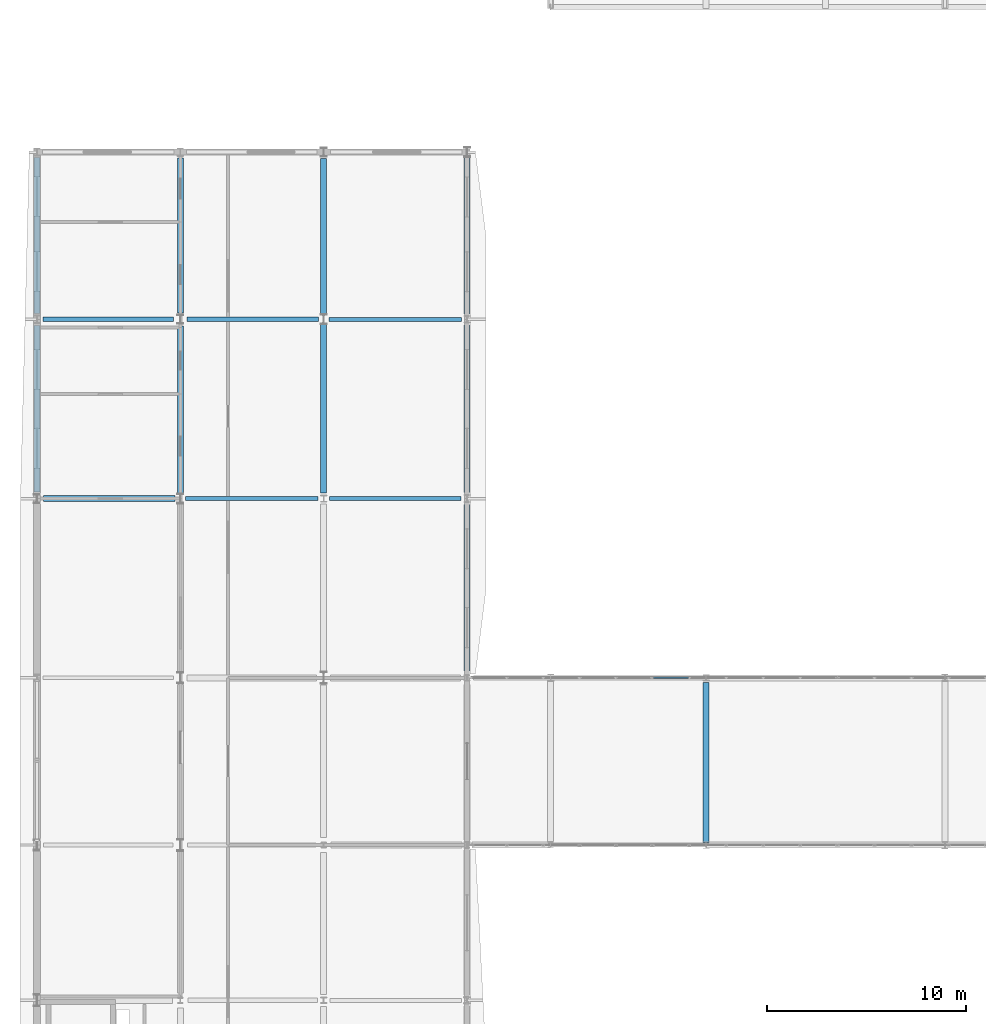
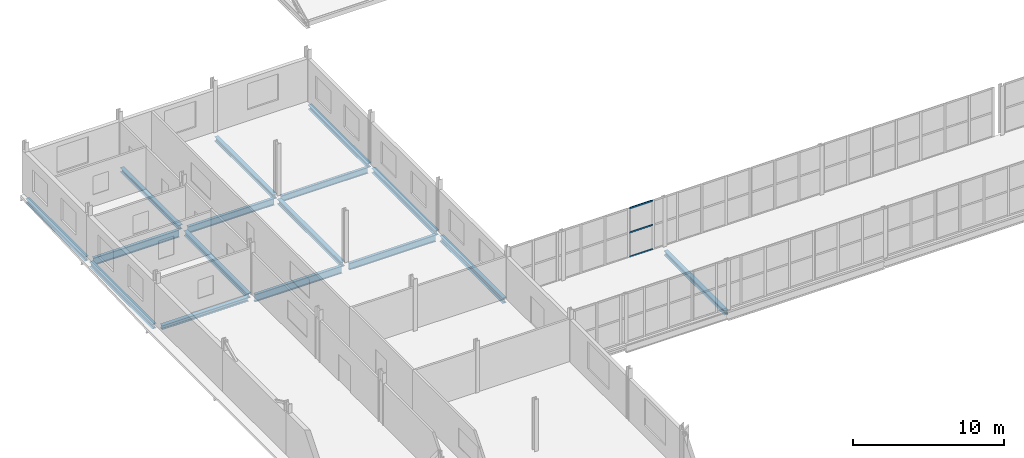
# One storey, part 57 of 138: 16 beams, 3 members, 1 element without a shape of its own.
"""IFC4 building model written with IfcOpenShell, lengths in metres."""

from ifc_helpers import new_model, si_unit, direction, frame, origin, origin_2d, place, context, subcontext, project, spatial, hollow_rectangle, i_section, extrude, material, layer, layer_set, material_profile, profile_set, type_object, element, aggregate, save


model = new_model("IFC4")

# Units and contexts
model_context = context("Model", 3, precision=1e-05, world=origin(), true_north=direction((0.0, 1.0)))
body_context = subcontext(model_context, "Body", "Model", "MODEL_VIEW")
ifc_project = project(units=[si_unit("LENGTHUNIT", "METRE"), si_unit("AREAUNIT", "SQUARE_METRE"), si_unit("VOLUMEUNIT", "CUBIC_METRE"), si_unit("PLANEANGLEUNIT", "RADIAN"), si_unit("MASSUNIT", "GRAM", prefix="KILO")], contexts=[model_context])

# Site, building, storey
site_placement = place(None, origin())
site = spatial("IfcSite", under=ifc_project, at=site_placement, CompositionType="ELEMENT")
building_placement = place(site_placement, origin())
building = spatial("IfcBuilding", under=site, at=building_placement, Name="Vinh Khe Railworks Police Headquarters", CompositionType="ELEMENT")
storey_placement = place(building_placement, frame((0.0, 0.0, 9.0)))
storey = spatial("IfcBuildingStorey", under=building, at=storey_placement, Name="L02", CompositionType="ELEMENT", Elevation=9.0)

# Beams
ifc_material_1 = material(Name="Steel S355JR", Category="steel")
ifc_material_profile_1 = material_profile(ifc_material_1, i_section(OverallWidth=0.300048828125, OverallDepth=0.330078125, WebThickness=0.009521484375, FlangeThickness=0.0166015625, FilletRadius=0.027099609375, at=origin_2d()), Name="HEA 340")
ifc_profile_set_1 = profile_set([ifc_material_profile_1], Name="Steel S355JR")
beam_type_1 = type_object("IfcBeamType", Name="Steel Girder HEA 340", PredefinedType="BEAM", material=ifc_profile_set_1)
beam_1_placement = place(storey_placement, frame((0.929931640625, 113.39990234375, -0.385009765625), z_axis=(1.0, 0.0, 0.0), x_axis=(0.0, 1.0, 0.0)))
element("IfcBeam", 1, at=beam_1_placement, inside=storey, type_object=beam_type_1, Name="Girder BM-L02-EW-SB-16-0830", PredefinedType="BEAM", context=body_context, shape_type="SweptSolid", body=[
    extrude(i_section(OverallWidth=0.300048828125, OverallDepth=0.330078125, WebThickness=0.009521484375, FlangeThickness=0.0166015625, FilletRadius=0.027099609375, at=origin_2d()), origin(), (0.0, 0.0, 1.0), 6.614990234375),
])
ifc_material_profile_2 = material_profile(ifc_material_1, i_section(OverallWidth=0.300048828125, OverallDepth=0.35009765625, WebThickness=0.010009765625, FlangeThickness=0.017578125, FilletRadius=0.027099609375, at=origin_2d()), Name="HEA 360")
ifc_profile_set_2 = profile_set([ifc_material_profile_2], Name="Steel S355JR")
beam_type_2 = type_object("IfcBeamType", Name="Steel Girder HEA 360", PredefinedType="BEAM", material=ifc_profile_set_2)
beam_2_placement = place(storey_placement, frame((0.60009765625, 122.705078125, -0.39501953125), z_axis=(0.0, 1.0, 0.0), x_axis=(-1.0, 0.0, 0.0)))
element("IfcBeam", 2, at=beam_2_placement, inside=storey, type_object=beam_type_2, Name="Girder BM-L02-NS-SB-15-0888", PredefinedType="BEAM", context=body_context, shape_type="SweptSolid", body=[
    extrude(i_section(OverallWidth=0.300048828125, OverallDepth=0.35009765625, WebThickness=0.010009765625, FlangeThickness=0.017578125, FilletRadius=0.027099609375, at=origin_2d()), origin(), (0.0, 0.0, 1.0), 7.81494140625),
])
beam_3_placement = place(storey_placement, frame((7.800048828125, 122.72998046875, -0.39501953125), z_axis=(0.0, 1.0, 0.0), x_axis=(-1.0, 0.0, 0.0)))
element("IfcBeam", 3, at=beam_3_placement, inside=storey, type_object=beam_type_2, Name="Girder BM-L02-NS-SB-15-0906", PredefinedType="BEAM", context=body_context, shape_type="SweptSolid", body=[
    extrude(i_section(OverallWidth=0.300048828125, OverallDepth=0.35009765625, WebThickness=0.010009765625, FlangeThickness=0.017578125, FilletRadius=0.027099609375, at=origin_2d()), origin(), (0.0, 0.0, 1.0), 7.76513671875),
])
beam_4_placement = place(storey_placement, frame((15.0, 122.655029296875, -0.39501953125), z_axis=(0.0, 1.0, 0.0), x_axis=(-1.0, 0.0, 0.0)))
element("IfcBeam", 4, at=beam_4_placement, inside=storey, type_object=beam_type_2, Name="Girder BM-L02-NS-SB-15-0924", PredefinedType="BEAM", context=body_context, shape_type="SweptSolid", body=[
    extrude(i_section(OverallWidth=0.300048828125, OverallDepth=0.35009765625, WebThickness=0.010009765625, FlangeThickness=0.017578125, FilletRadius=0.027099609375, at=origin_2d()), origin(), (0.0, 0.0, 1.0), 7.81494140625),
])
beam_5_placement = place(storey_placement, frame((22.199951171875, 122.679931640625, -0.39501953125), z_axis=(0.0, 1.0, 0.0), x_axis=(-1.0, 0.0, 0.0)))
element("IfcBeam", 5, at=beam_5_placement, inside=storey, type_object=beam_type_2, Name="Girder BM-L02-NS-SB-15-0942", PredefinedType="BEAM", context=body_context, shape_type="SweptSolid", body=[
    extrude(i_section(OverallWidth=0.300048828125, OverallDepth=0.35009765625, WebThickness=0.010009765625, FlangeThickness=0.017578125, FilletRadius=0.027099609375, at=origin_2d()), origin(), (0.0, 0.0, 1.0), 7.864990234375),
])
beam_6_placement = place(storey_placement, frame((34.199951171875, 96.110107421875, -0.39501953125), z_axis=(0.0, 1.0, 0.0), x_axis=(-1.0, 0.0, 0.0)))
element("IfcBeam", 6, at=beam_6_placement, inside=storey, type_object=beam_type_2, Name="Girder BM-L02-NS-SB-15-0954", PredefinedType="BEAM", context=body_context, shape_type="SweptSolid", body=[
    extrude(i_section(OverallWidth=0.300048828125, OverallDepth=0.35009765625, WebThickness=0.010009765625, FlangeThickness=0.017578125, FilletRadius=0.027099609375, at=origin_2d()), origin(), (0.0, 0.0, 1.0), 8.06494140625),
])
ifc_material_profile_3 = material_profile(ifc_material_1, i_section(OverallWidth=0.300048828125, OverallDepth=0.389892578125, WebThickness=0.010986328125, FlangeThickness=0.01904296875, FilletRadius=0.027099609375, at=origin_2d()), Name="HEA 400")
ifc_profile_set_3 = profile_set([ifc_material_profile_3], Name="Steel S355JR")
beam_type_3 = type_object("IfcBeamType", Name="Steel Girder HEA 400", PredefinedType="BEAM", material=ifc_profile_set_3)
beam_7_placement = place(storey_placement, frame((0.60009765625, 113.72998046875, -0.4150390625), z_axis=(0.0, 1.0, 0.0), x_axis=(-1.0, 0.0, 0.0)))
element("IfcBeam", 7, at=beam_7_placement, inside=storey, type_object=beam_type_3, Name="Girder BM-L02-NS-SB-14-0887", PredefinedType="BEAM", context=body_context, shape_type="SweptSolid", body=[
    extrude(i_section(OverallWidth=0.300048828125, OverallDepth=0.389892578125, WebThickness=0.010986328125, FlangeThickness=0.01904296875, FilletRadius=0.027099609375, at=origin_2d()), origin(), (0.0, 0.0, 1.0), 8.364990234375),
])
beam_8_placement = place(storey_placement, frame((7.800048828125, 113.655029296875, -0.4150390625), z_axis=(0.0, 1.0, 0.0), x_axis=(-1.0, 0.0, 0.0)))
element("IfcBeam", 8, at=beam_8_placement, inside=storey, type_object=beam_type_3, Name="Girder BM-L02-NS-SB-14-0905", PredefinedType="BEAM", context=body_context, shape_type="SweptSolid", body=[
    extrude(i_section(OverallWidth=0.300048828125, OverallDepth=0.389892578125, WebThickness=0.010986328125, FlangeThickness=0.01904296875, FilletRadius=0.027099609375, at=origin_2d()), origin(), (0.0, 0.0, 1.0), 8.4150390625),
])
beam_9_placement = place(storey_placement, frame((15.0, 113.679931640625, -0.4150390625), z_axis=(0.0, 1.0, 0.0), x_axis=(-1.0, 0.0, 0.0)))
element("IfcBeam", 9, at=beam_9_placement, inside=storey, type_object=beam_type_3, Name="Girder BM-L02-NS-SB-14-0923", PredefinedType="BEAM", context=body_context, shape_type="SweptSolid", body=[
    extrude(i_section(OverallWidth=0.300048828125, OverallDepth=0.389892578125, WebThickness=0.010986328125, FlangeThickness=0.01904296875, FilletRadius=0.027099609375, at=origin_2d()), origin(), (0.0, 0.0, 1.0), 8.465087890625),
])
beam_10_placement = place(storey_placement, frame((22.199951171875, 113.705078125, -0.4150390625), z_axis=(0.0, 1.0, 0.0), x_axis=(-1.0, 0.0, 0.0)))
element("IfcBeam", 10, at=beam_10_placement, inside=storey, type_object=beam_type_3, Name="Girder BM-L02-NS-SB-14-0941", PredefinedType="BEAM", context=body_context, shape_type="SweptSolid", body=[
    extrude(i_section(OverallWidth=0.300048828125, OverallDepth=0.389892578125, WebThickness=0.010986328125, FlangeThickness=0.01904296875, FilletRadius=0.027099609375, at=origin_2d()), origin(), (0.0, 0.0, 1.0), 8.4150390625),
])
ifc_material_profile_4 = material_profile(ifc_material_1, i_section(OverallWidth=0.300048828125, OverallDepth=0.43994140625, WebThickness=0.011474609375, FlangeThickness=0.02099609375, FilletRadius=0.027099609375, at=origin_2d()), Name="HEA 450")
ifc_profile_set_4 = profile_set([ifc_material_profile_4], Name="Steel S355JR")
beam_type_4 = type_object("IfcBeamType", Name="Steel Girder HEA 450", PredefinedType="BEAM", material=ifc_profile_set_4)
beam_11_placement = place(storey_placement, frame((22.199951171875, 104.72998046875, -0.43994140625), z_axis=(0.0, 1.0, 0.0), x_axis=(-1.0, 0.0, 0.0)))
element("IfcBeam", 11, at=beam_11_placement, inside=storey, type_object=beam_type_4, Name="Girder BM-L02-NS-SB-13-0940", PredefinedType="BEAM", context=body_context, shape_type="SweptSolid", body=[
    extrude(i_section(OverallWidth=0.300048828125, OverallDepth=0.43994140625, WebThickness=0.011474609375, FlangeThickness=0.02099609375, FilletRadius=0.027099609375, at=origin_2d()), origin(), (0.0, 0.0, 1.0), 8.364990234375),
])
ifc_material_profile_5 = material_profile(ifc_material_1, i_section(OverallWidth=0.199951171875, OverallDepth=0.5, WebThickness=0.01025390625, FlangeThickness=0.01611328125, FilletRadius=0.02099609375, at=origin_2d()), Name="IPE 500")
ifc_profile_set_5 = profile_set([ifc_material_profile_5], Name="Steel S355JR")
beam_type_5 = type_object("IfcBeamType", Name="Steel Girder IPE 500", PredefinedType="BEAM", material=ifc_profile_set_5)
beam_12_placement = place(storey_placement, frame((15.2548828125, 122.39990234375, -0.469970703125), z_axis=(1.0, 0.0, 0.0), x_axis=(0.0, 1.0, 0.0)))
element("IfcBeam", 12, at=beam_12_placement, inside=storey, type_object=beam_type_5, Name="Girder BM-L02-EW-SB-19-0839", PredefinedType="BEAM", context=body_context, shape_type="SweptSolid", body=[
    extrude(i_section(OverallWidth=0.199951171875, OverallDepth=0.5, WebThickness=0.01025390625, FlangeThickness=0.01611328125, FilletRadius=0.02099609375, at=origin_2d()), origin(), (0.0, 0.0, 1.0), 6.6650390625),
])
ifc_material_profile_6 = material_profile(ifc_material_1, i_section(OverallWidth=0.2099609375, OverallDepth=0.550048828125, WebThickness=0.010986328125, FlangeThickness=0.01708984375, FilletRadius=0.02392578125, at=origin_2d()), Name="IPE 550")
ifc_profile_set_6 = profile_set([ifc_material_profile_6], Name="Steel S355JR")
beam_type_6 = type_object("IfcBeamType", Name="Steel Girder IPE 550", PredefinedType="BEAM", material=ifc_profile_set_6)
beam_13_placement = place(storey_placement, frame((15.280029296875, 113.39990234375, -0.4951171875), z_axis=(1.0, 0.0, 0.0), x_axis=(0.0, 1.0, 0.0)))
element("IfcBeam", 13, at=beam_13_placement, inside=storey, type_object=beam_type_6, Name="Girder BM-L02-EW-SB-18-0832", PredefinedType="BEAM", context=body_context, shape_type="SweptSolid", body=[
    extrude(i_section(OverallWidth=0.2099609375, OverallDepth=0.550048828125, WebThickness=0.010986328125, FlangeThickness=0.01708984375, FilletRadius=0.02392578125, at=origin_2d()), origin(), (0.0, 0.0, 1.0), 6.614990234375),
])
beam_14_placement = place(storey_placement, frame((8.1298828125, 122.39990234375, -0.4951171875), z_axis=(1.0, 0.0, 0.0), x_axis=(0.0, 1.0, 0.0)))
element("IfcBeam", 14, at=beam_14_placement, inside=storey, type_object=beam_type_6, Name="Girder BM-L02-EW-SB-18-0838", PredefinedType="BEAM", context=body_context, shape_type="SweptSolid", body=[
    extrude(i_section(OverallWidth=0.2099609375, OverallDepth=0.550048828125, WebThickness=0.010986328125, FlangeThickness=0.01708984375, FilletRadius=0.02392578125, at=origin_2d()), origin(), (0.0, 0.0, 1.0), 6.615234375),
])
ifc_material_profile_7 = material_profile(ifc_material_1, i_section(OverallWidth=0.219970703125, OverallDepth=0.60009765625, WebThickness=0.011962890625, FlangeThickness=0.01904296875, FilletRadius=0.02392578125, at=origin_2d()), Name="IPE 600")
ifc_profile_set_7 = profile_set([ifc_material_profile_7], Name="Steel S355JR")
beam_type_7 = type_object("IfcBeamType", Name="Steel Girder IPE 600", PredefinedType="BEAM", material=ifc_profile_set_7)
beam_15_placement = place(storey_placement, frame((8.054931640625, 113.39990234375, -0.52001953125), z_axis=(1.0, 0.0, 0.0), x_axis=(0.0, 1.0, 0.0)))
element("IfcBeam", 15, at=beam_15_placement, inside=storey, type_object=beam_type_7, Name="Girder BM-L02-EW-SB-17-0831", PredefinedType="BEAM", context=body_context, shape_type="SweptSolid", body=[
    extrude(i_section(OverallWidth=0.219970703125, OverallDepth=0.60009765625, WebThickness=0.011962890625, FlangeThickness=0.01904296875, FilletRadius=0.02392578125, at=origin_2d()), origin(), (0.0, 0.0, 1.0), 6.6650390625),
])
beam_16_placement = place(storey_placement, frame((0.905029296875, 122.39990234375, -0.52001953125), z_axis=(1.0, 0.0, 0.0), x_axis=(0.0, 1.0, 0.0)))
element("IfcBeam", 16, at=beam_16_placement, inside=storey, type_object=beam_type_7, Name="Girder BM-L02-EW-SB-17-0837", PredefinedType="BEAM", context=body_context, shape_type="SweptSolid", body=[
    extrude(i_section(OverallWidth=0.219970703125, OverallDepth=0.60009765625, WebThickness=0.011962890625, FlangeThickness=0.01904296875, FilletRadius=0.02392578125, at=origin_2d()), origin(), (0.0, 0.0, 1.0), 6.56494140625),
])

# Curtain wall, members
ifc_material_2 = material(Name="Anodised aluminium and solar-control glass", Category="aluminium")
ifc_layer = layer(ifc_material_2, 0.159912109375)
ifc_layer_set = layer_set([ifc_layer], Name="Anodised aluminium and solar-control glass")
curtain_wall_type = type_object("IfcCurtainWallType", Name="CW-SHOPFRONT", PredefinedType="USERDEFINED", material=ifc_layer_set)
curtain_wall_placement = place(storey_placement, origin())
curtain_wall = element("IfcCurtainWall", 17, at=curtain_wall_placement, inside=storey, type_object=curtain_wall_type, Name="Link Bridge North Glazing L02 Bay 2", ObjectType="UNITISED GLAZING", PredefinedType="USERDEFINED")
ifc_material_3 = material(Name="Anodised aluminium 6063-T6", Category="aluminium")
ifc_material_profile_8 = material_profile(ifc_material_3, hollow_rectangle(XDim=0.06005859375, YDim=0.1201171875, WallThickness=0.00390625, at=origin_2d()), Name="CW-T 60x120x4")
ifc_profile_set_8 = profile_set([ifc_material_profile_8], Name="Anodised aluminium 6063-T6")
member_type = type_object("IfcMemberType", Name="TRAN-CWT-01", PredefinedType="USERDEFINED", material=ifc_profile_set_8)
member_1_placement = place(storey_placement, frame((31.56005859375, 104.39990234375, 0.030029296875), z_axis=(1.0, 0.0, 0.0), x_axis=(0.0, 1.0, 0.0)))
member_1 = element("IfcMember", 18, at=member_1_placement, type_object=member_type, Name="CW-03 transom 1.1", ObjectType="TRANSOM", PredefinedType="USERDEFINED", context=body_context, shape_type="SweptSolid", body=[
    extrude(hollow_rectangle(XDim=0.06005859375, YDim=0.1201171875, WallThickness=0.00390625, at=origin_2d()), origin(), (0.0, 0.0, 1.0), 1.77001953125),
])
member_2_placement = place(storey_placement, frame((31.56005859375, 104.39990234375, 1.989990234375), z_axis=(1.0, 0.0, 0.0), x_axis=(0.0, 1.0, 0.0)))
member_2 = element("IfcMember", 19, at=member_2_placement, type_object=member_type, Name="CW-03 transom 1.2", ObjectType="TRANSOM", PredefinedType="USERDEFINED", context=body_context, shape_type="SweptSolid", body=[
    extrude(hollow_rectangle(XDim=0.06005859375, YDim=0.1201171875, WallThickness=0.00390625, at=origin_2d()), origin(), (0.0, 0.0, 1.0), 1.77001953125),
])
member_3_placement = place(storey_placement, frame((31.56005859375, 104.39990234375, 3.949951171875), z_axis=(1.0, 0.0, 0.0), x_axis=(0.0, 1.0, 0.0)))
member_3 = element("IfcMember", 20, at=member_3_placement, type_object=member_type, Name="CW-03 transom 1.3", ObjectType="TRANSOM", PredefinedType="USERDEFINED", context=body_context, shape_type="SweptSolid", body=[
    extrude(hollow_rectangle(XDim=0.06005859375, YDim=0.1201171875, WallThickness=0.00390625, at=origin_2d()), origin(), (0.0, 0.0, 1.0), 1.77001953125),
])
aggregate(curtain_wall, [member_1, member_2, member_3])

save(model, "model.ifc")
